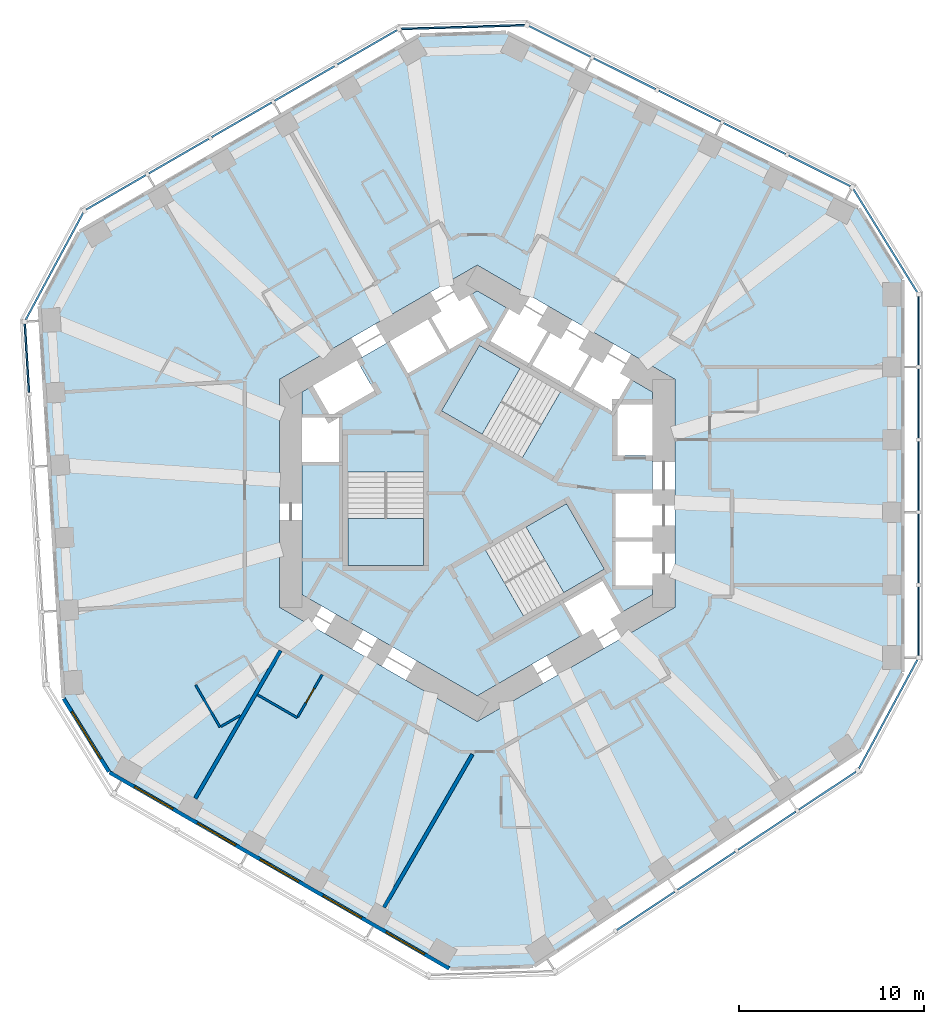
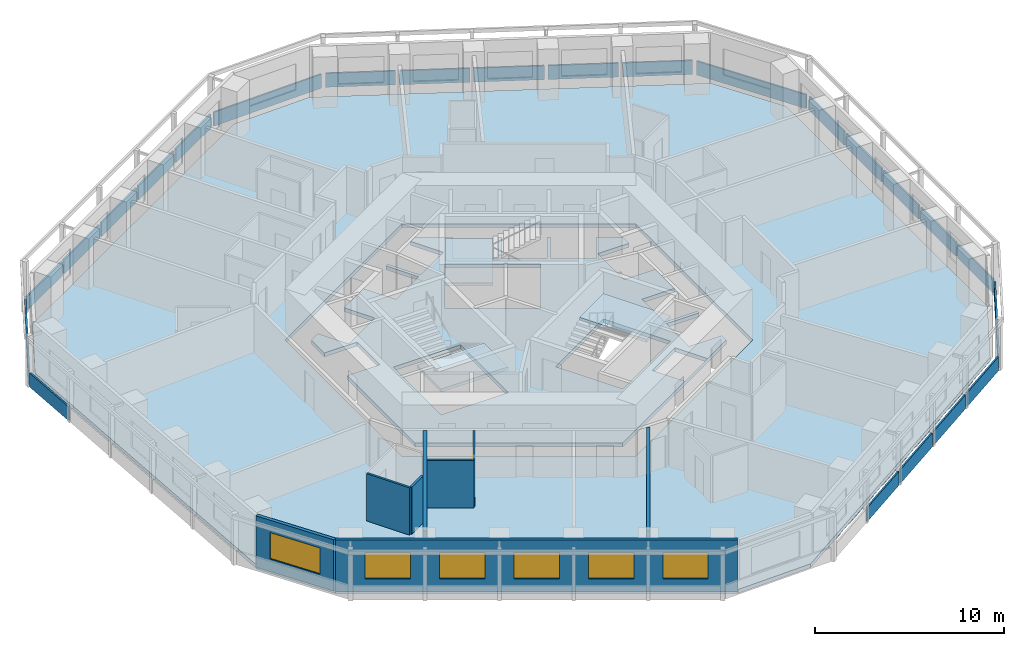
# One storey, part 3 of 12: 24 plates, 8 walls, 6 windows, 5 slabs, 1 door, 7 openings, 12 elements without a shape of their own.
"""IFC4 building model written with IfcOpenShell, lengths in metres."""

import ifcopenshell
import ifcopenshell.guid

model = None  # the IFC model being written
_history = None  # IfcOwnerHistory: only IFC2X3 demands one
_inside = {}  # id of a spatial element -> (the spatial element, [elements in it])
_under = {}  # id of a project, library or spatial element -> (it, [spatial elements below it])
_declared = {}  # id of a project -> (the project, [libraries it declares])
_typed = {}  # id of a type object -> (the type object, [elements of that type])
_made_of = {}  # id of a material, layer set ... -> (it, [elements and type objects made of it])


def new_model(schema):
    """Start an empty IFC model of exactly this schema.

    Asked for "IFC4X3", IfcOpenShell would pick the latest addendum, in which some entities
    have other attributes; the version numbers below select the first issue.
    IFC2X3 requires an IfcOwnerHistory on every rooted entity: one is made here for all.
    """
    global model, _history
    if schema == "IFC4X3":
        model = ifcopenshell.file(schema_version=(4, 3, 0, 0))
    else:
        model = ifcopenshell.file(schema=schema)
    _inside.clear()
    _under.clear()
    _declared.clear()
    _typed.clear()
    _made_of.clear()
    _history = None
    if model.schema == "IFC2X3":
        org = make("IfcOrganization", Name="unknown")
        user = make(
            "IfcPersonAndOrganization",
            ThePerson=make("IfcPerson", FamilyName="unknown"),
            TheOrganization=org,
        )
        app = make(
            "IfcApplication",
            ApplicationDeveloper=org,
            Version="unknown",
            ApplicationFullName="unknown",
            ApplicationIdentifier="unknown",
        )
        _history = make(
            "IfcOwnerHistory",
            OwningUser=user,
            OwningApplication=app,
            ChangeAction="ADDED",
            CreationDate=0,
        )
    return model


def make(cls, **values):
    """One entity of the class cls with the attributes given. An attribute that is None is left unset."""
    return model.create_entity(
        cls, **{name: value for name, value in values.items() if value is not None}
    )


def rooted(cls, **values):
    """An entity with a GlobalId (a new one), such as an element, a storey or a relation."""
    return make(cls, GlobalId=ifcopenshell.guid.new(), OwnerHistory=_history, **values)


def si_unit(unit_type, name, prefix=None):
    """IfcSIUnit, for example si_unit("LENGTHUNIT", "METRE", prefix="MILLI")."""
    return make("IfcSIUnit", UnitType=unit_type, Prefix=prefix, Name=name)


def assignment(units):
    """IfcUnitAssignment: the units of a project."""
    return None if units is None else make("IfcUnitAssignment", Units=units)


def point(xyz):
    """IfcCartesianPoint."""
    return None if xyz is None else make("IfcCartesianPoint", Coordinates=xyz)


def direction(xyz):
    """IfcDirection."""
    return None if xyz is None else make("IfcDirection", DirectionRatios=xyz)


def frame(location, z_axis=None, x_axis=None):
    """IfcAxis2Placement3D, a coordinate frame: its origin and axes. An axis left out is left unset."""
    return make(
        "IfcAxis2Placement3D",
        Location=point(location),
        Axis=direction(z_axis),
        RefDirection=direction(x_axis),
    )


def frame_2d(location, x_axis=None):
    """IfcAxis2Placement2D, a coordinate frame in the plane: its origin and x axis."""
    return make(
        "IfcAxis2Placement2D", Location=point(location), RefDirection=direction(x_axis)
    )


def origin():
    """The frame at (0, 0, 0) with its axes left unset."""
    return frame((0.0, 0.0, 0.0))


def origin_2d():
    """The frame at (0, 0) in the plane with its x axis left unset."""
    return frame_2d((0.0, 0.0))


def place(relative_to, where):
    """IfcLocalPlacement: puts the frame where relative to a parent placement (None: the world)."""
    return make(
        "IfcLocalPlacement", PlacementRelTo=relative_to, RelativePlacement=where
    )


def context(
    kind, dimensions, precision=None, world=None, true_north=None, identifier=None
):
    """IfcGeometricRepresentationContext, for example the 3D "Model" context."""
    return make(
        "IfcGeometricRepresentationContext",
        ContextIdentifier=identifier,
        ContextType=kind,
        CoordinateSpaceDimension=dimensions,
        Precision=precision,
        WorldCoordinateSystem=world,
        TrueNorth=true_north,
    )


def subcontext(parent, identifier, kind, view, scale=None):
    """IfcGeometricRepresentationSubContext, for example "Body" below "Model"."""
    return make(
        "IfcGeometricRepresentationSubContext",
        ContextIdentifier=identifier,
        ContextType=kind,
        ParentContext=parent,
        TargetScale=scale,
        TargetView=view,
    )


def project(units=None, contexts=None):
    """IfcProject with its units and contexts."""
    return rooted(
        "IfcProject",
        Name="project",
        RepresentationContexts=contexts,
        UnitsInContext=assignment(units),
    )


def spatial(cls, under=None, at=None, **own):
    """A site, building, storey or space (cls), placed at a placement, below another one or the project."""
    s = rooted(cls, ObjectPlacement=at, **own)
    if under is not None:
        _under.setdefault(under.id(), (under, []))[1].append(s)
    return s


def polyline(points):
    """IfcPolyline through the points."""
    return make("IfcPolyline", Points=[point(p) for p in points])


def profile(cls, at=None, kind="AREA", **sizes):
    """A parametric profile (cls). Its sizes go by their IFC names, for example OverallWidth=200.0."""
    return make(cls, ProfileType=kind, Position=at, **sizes)


def rectangle(**sizes):
    """IfcRectangleProfileDef."""
    return profile("IfcRectangleProfileDef", **sizes)


def outline(outer, holes=None, kind="AREA"):
    """IfcArbitraryClosedProfileDef: a profile drawn as a closed curve; with holes, ...WithVoids."""
    if holes is None:
        return make("IfcArbitraryClosedProfileDef", ProfileType=kind, OuterCurve=outer)
    return make(
        "IfcArbitraryProfileDefWithVoids",
        ProfileType=kind,
        OuterCurve=outer,
        InnerCurves=holes,
    )


def extrude(swept, where, along, depth):
    """IfcExtrudedAreaSolid: the profile swept, set in the frame where, extruded along a direction by depth."""
    return make(
        "IfcExtrudedAreaSolid",
        SweptArea=swept,
        Position=where,
        ExtrudedDirection=direction(along),
        Depth=depth,
    )


def shape(context_of_items, identifier, shape_type, items):
    """IfcShapeRepresentation: the items that make up one representation, for example the "Body"."""
    return make(
        "IfcShapeRepresentation",
        ContextOfItems=context_of_items,
        RepresentationIdentifier=identifier,
        RepresentationType=shape_type,
        Items=items,
    )


def material(Name=None, Category=None):
    """IfcMaterial."""
    return make("IfcMaterial", Name=Name, Category=Category)


def layer(
    of_material, thickness, ventilated=None, Name=None, Category=None, Priority=None
):
    """IfcMaterialLayer: one layer of a wall or slab, of a material (None: an air gap)."""
    return make(
        "IfcMaterialLayer",
        Material=of_material,
        LayerThickness=thickness,
        IsVentilated=ventilated,
        Name=Name,
        Category=Category,
        Priority=Priority,
    )


def layer_set(layers, Name=None):
    """IfcMaterialLayerSet."""
    return make("IfcMaterialLayerSet", MaterialLayers=layers, LayerSetName=Name)


def made_of(thing, what):
    """Note that an element or type object is made of a material, layer set ...; save() writes the relation."""
    if what is not None:
        _made_of.setdefault(what.id(), (what, []))[1].append(thing)
    return thing


def type_object(cls, material=None, **own):
    """A type object (cls), such as IfcWallType, which elements share."""
    return made_of(rooted(cls, **own), material)


def element(
    cls,
    number,
    at=None,
    inside=None,
    cuts=None,
    type_object=None,
    material=None,
    context=None,
    identifier="Body",
    shape_type=None,
    held_by="IfcProductDefinitionShape",
    body=None,
    shapes=None,
    **own,
):
    """One element of the class cls, such as IfcWall. Its Tag is "e" and its number.

    at: its placement. inside: the storey or other place that contains it. cuts: it is an
    opening in that element (IfcRelVoidsElement). A single representation is given by context,
    identifier, shape_type and body (its items); several are given by shapes. held_by: the class
    of the entity that holds the representations. save() writes the other relations.
    """
    e = rooted(cls, Tag="e%d" % number, ObjectPlacement=at, **own)
    if body is not None:
        shapes = [shape(context, identifier, shape_type, body)]
    if shapes is not None:
        e.Representation = make(held_by, Representations=shapes)
    if inside is not None:
        _inside.setdefault(inside.id(), (inside, []))[1].append(e)
    if cuts is not None:
        rooted(
            "IfcRelVoidsElement", RelatingBuildingElement=cuts, RelatedOpeningElement=e
        )
    if type_object is not None:
        _typed.setdefault(type_object.id(), (type_object, []))[1].append(e)
    return made_of(e, material)


def fill(opening, filler):
    """IfcRelFillsElement: the door or window that sits in an opening."""
    return rooted(
        "IfcRelFillsElement",
        RelatingOpeningElement=opening,
        RelatedBuildingElement=filler,
    )


def aggregate(whole, parts):
    """IfcRelAggregates: a whole, such as a stair, and the parts it consists of."""
    return rooted("IfcRelAggregates", RelatingObject=whole, RelatedObjects=parts)


def save(model, path):
    """Write the relations noted so far, then the file.

    IfcRelAggregates (storeys below a building ...), IfcRelContainedInSpatialStructure (elements
    in a storey), IfcRelDefinesByType, IfcRelAssociatesMaterial and IfcRelDeclares: one each for
    every whole, place, type object, material and project.
    """
    for whole, parts in _under.values():
        aggregate(whole, parts)
    for where, things in _inside.values():
        rooted(
            "IfcRelContainedInSpatialStructure",
            RelatedElements=things,
            RelatingStructure=where,
        )
    for kind, things in _typed.values():
        rooted("IfcRelDefinesByType", RelatedObjects=things, RelatingType=kind)
    for what, things in _made_of.values():
        rooted("IfcRelAssociatesMaterial", RelatedObjects=things, RelatingMaterial=what)
    for by, libraries in _declared.values():
        rooted("IfcRelDeclares", RelatingContext=by, RelatedDefinitions=libraries)
    model.write(path)


model = new_model("IFC4")

# Units and contexts
model_context = context("Model", 3, precision=1e-05, world=origin(), true_north=direction((0.0, 1.0)))
body_context = subcontext(model_context, "Body", "Model", "MODEL_VIEW")
ifc_project = project(units=[si_unit("LENGTHUNIT", "METRE"), si_unit("AREAUNIT", "SQUARE_METRE"), si_unit("VOLUMEUNIT", "CUBIC_METRE"), si_unit("PLANEANGLEUNIT", "RADIAN"), si_unit("MASSUNIT", "GRAM", prefix="KILO")], contexts=[model_context])

# Site, building, storey
site_placement = place(None, origin())
site = spatial("IfcSite", under=ifc_project, at=site_placement, CompositionType="ELEMENT")
building_placement = place(site_placement, origin())
building = spatial("IfcBuilding", under=site, at=building_placement, Name="Vanh Sen Convention Tower", CompositionType="ELEMENT")
storey_placement = place(building_placement, frame((0.0, 0.0, 110.0)))
storey = spatial("IfcBuildingStorey", under=building, at=storey_placement, Name="L26", CompositionType="ELEMENT", Elevation=110.0)

# Slabs
ifc_material_1 = material(Name="Concrete C40/50", Category="concrete")
ifc_layer_1 = layer(ifc_material_1, 0.25)
ifc_layer_set_1 = layer_set([ifc_layer_1], Name="Concrete C40/50")
slab_type_1 = type_object("IfcSlabType", Name="Core slab 250", PredefinedType="FLOOR", material=ifc_layer_set_1)
slab_1_placement = place(storey_placement, frame((0.0, 0.0, -0.25)))
element("IfcSlab", 1, at=slab_1_placement, inside=storey, type_object=slab_type_1, Name="Core slab L26", PredefinedType="FLOOR", context=body_context, shape_type="SweptSolid", body=[
    extrude(outline(polyline([(9.5, 5.48486328125), (9.5, 4.800048828125), (7.60009765625, 4.800048828125), (7.60009765625, 2.050048828125), (9.5, 2.050048828125), (9.5, 0.0), (7.5, 0.0), (7.5, -2.39990234375), (9.5, -2.39990234375), (9.5, -2.60009765625), (7.5, -2.60009765625), (7.5, -5.0), (9.5, -5.0), (9.5, -5.48486328125), (0.0, -10.9697265625), (-9.5, -5.48486328125), (-9.5, 1.699951171875), (-7.5, 1.699951171875), (-7.5, 4.10009765625), (-9.5, 4.10009765625), (-9.5, 5.48486328125), (-8.906982421875, 5.8271484375), (-7.956787109375, 4.181884765625), (-5.575439453125, 5.556884765625), (-6.525390625, 7.2021484375), (-4.75, 8.227294921875), (-3.75, 6.4951171875), (-1.67138671875, 7.6953125), (-2.67138671875, 9.42724609375), (-2.498291015625, 9.527099609375), (-1.498291015625, 7.795166015625), (0.580078125, 8.9951171875), (-0.419921875, 10.727294921875), (0.0, 10.9697265625), (1.718994140625, 9.977294921875), (0.718994140625, 8.2451171875), (2.79736328125, 7.045166015625), (3.79736328125, 8.777099609375), (3.970703125, 8.67724609375), (2.970703125, 6.9453125), (5.049072265625, 5.7451171875), (6.049072265625, 7.477294921875), (6.22216796875, 7.377197265625), (5.22216796875, 5.645263671875), (7.30078125, 4.4453125), (8.30078125, 6.17724609375), (9.5, 5.48486328125)]), holes=[polyline([(-7.0, 3.14990234375), (-7.0, -3.909912109375), (-2.89990234375, -3.909912109375), (-2.89990234375, 3.14990234375), (-2.89990234375, 1.1494140625), (-7.0, 1.1494140625), (-7.0, 3.14990234375)]), polyline([(4.495361328125, 5.487548828125), (6.22802734375, 4.4873046875), (0.11376953125, 8.01708984375), (-1.936279296875, 4.466552734375), (2.4453125, 1.936767578125), (4.495361328125, 5.487548828125)]), polyline([(7.781005859375, -6.477294921875), (6.781005859375, -4.7451171875), (4.70263671875, -5.9453125), (5.70263671875, -7.67724609375), (7.781005859375, -6.477294921875)]), polyline([(0.45458984375, -3.086181640625), (2.504638671875, -6.63671875), (6.88623046875, -4.107177734375), (4.836181640625, -0.556396484375), (-1.278076171875, -4.08642578125), (0.45458984375, -3.086181640625)])]), origin(), (0.0, 0.0, 1.0), 0.25),
])
ifc_layer_2 = layer(ifc_material_1, 0.25)
ifc_layer_set_2 = layer_set([ifc_layer_2], Name="Concrete C40/50")
slab_type_2 = type_object("IfcSlabType", Name="Floor slab 250 REI 120", PredefinedType="FLOOR", material=ifc_layer_set_2)
slab_2_placement = place(storey_placement, frame((0.0, 0.0, -0.25)))
element("IfcSlab", 2, at=slab_2_placement, inside=storey, type_object=slab_type_2, Name="Floor slab L26 tower", PredefinedType="FLOOR", context=body_context, shape_type="SweptSolid", body=[
    extrude(outline(polyline([(23.0, -9.69921875), (23.0, 11.57373046875), (20.620361328125, 15.419189453125), (1.58251953125, 24.911376953125), (-3.10009765625, 24.768310546875), (-21.523193359375, 14.131591796875), (-23.663818359375, 10.14794921875), (-22.364990234375, -11.085205078125), (-19.89990234375, -15.069091796875), (-1.476806640625, -25.705322265625), (3.04345703125, -25.5673828125), (20.78271484375, -13.825927734375), (23.0, -9.69921875)]), holes=[polyline([(0.0, 12.355224609375), (-10.699951171875, 6.177490234375), (-10.699951171875, -6.177490234375), (0.0, -12.355224609375), (10.699951171875, -6.177490234375), (10.699951171875, 6.177490234375), (0.0, 12.355224609375)])]), origin(), (0.0, 0.0, 1.0), 0.25),
])

# Curtain wall, plates
ifc_material_2 = material(Name="Concrete C50/60", Category="concrete")
curtain_wall_type = type_object("IfcCurtainWallType", Name="Outer skin hotel zone", PredefinedType="NOTDEFINED", material=ifc_material_2)
curtain_wall_1_placement = place(storey_placement, origin())
curtain_wall_1 = element("IfcCurtainWall", 3, at=curtain_wall_1_placement, inside=storey, type_object=curtain_wall_type, Name="OUTER SKIN E L26", PredefinedType="NOTDEFINED")
ifc_layer_3 = layer(ifc_material_2, 0.10009765625)
ifc_layer_set_3 = layer_set([ifc_layer_3], Name="Concrete C50/60")
plate_type = type_object("IfcPlateType", Name="Outer skin precast screen panel 100", PredefinedType="CURTAIN_PANEL", material=ifc_layer_set_3)
plate_1_placement = place(storey_placement, frame((23.89990234375, -6.91943359375, 0.0), z_axis=(0.0, 0.0, 1.0), x_axis=(0.0, 1.0, 0.0)))
plate_1 = element("IfcPlate", 4, at=plate_1_placement, type_object=plate_type, Name="OUTER SKIN screen panel E-1", PredefinedType="CURTAIN_PANEL", context=body_context, shape_type="SweptSolid", body=[
    extrude(rectangle(XDim=3.709716796875, YDim=0.10009765625, at=origin_2d()), origin(), (0.0, 0.0, 1.0), 0.89990234375),
])
plate_2_placement = place(storey_placement, frame((23.89990234375, -2.997314453125, 0.0), z_axis=(0.0, 0.0, 1.0), x_axis=(0.0, 1.0, 0.0)))
plate_2 = element("IfcPlate", 5, at=plate_2_placement, type_object=plate_type, Name="OUTER SKIN screen panel E-2", PredefinedType="CURTAIN_PANEL", context=body_context, shape_type="SweptSolid", body=[
    extrude(rectangle(XDim=3.734619140625, YDim=0.10009765625, at=origin_2d()), origin(), (0.0, 0.0, 1.0), 0.89990234375),
])
plate_3_placement = place(storey_placement, frame((23.89990234375, 0.937255859375, 0.0), z_axis=(0.0, 0.0, 1.0), x_axis=(0.0, 1.0, 0.0)))
plate_3 = element("IfcPlate", 6, at=plate_3_placement, type_object=plate_type, Name="OUTER SKIN screen panel E-3", PredefinedType="CURTAIN_PANEL", context=body_context, shape_type="SweptSolid", body=[
    extrude(rectangle(XDim=3.734619140625, YDim=0.10009765625, at=origin_2d()), origin(), (0.0, 0.0, 1.0), 0.89990234375),
])
plate_4_placement = place(storey_placement, frame((23.89990234375, 4.871826171875, 0.0), z_axis=(0.0, 0.0, 1.0), x_axis=(0.0, 1.0, 0.0)))
plate_4 = element("IfcPlate", 7, at=plate_4_placement, type_object=plate_type, Name="OUTER SKIN screen panel E-4", PredefinedType="CURTAIN_PANEL", context=body_context, shape_type="SweptSolid", body=[
    extrude(rectangle(XDim=3.734619140625, YDim=0.10009765625, at=origin_2d()), origin(), (0.0, 0.0, 1.0), 0.89990234375),
])
plate_5_placement = place(storey_placement, frame((23.89990234375, 8.7939453125, 0.0), z_axis=(0.0, 0.0, 1.0), x_axis=(0.0, 1.0, 0.0)))
plate_5 = element("IfcPlate", 8, at=plate_5_placement, type_object=plate_type, Name="OUTER SKIN screen panel E-5", PredefinedType="CURTAIN_PANEL", context=body_context, shape_type="SweptSolid", body=[
    extrude(rectangle(XDim=3.709716796875, YDim=0.10009765625, at=origin_2d()), origin(), (0.0, 0.0, 1.0), 0.89990234375),
])
aggregate(curtain_wall_1, [plate_1, plate_2, plate_3, plate_4, plate_5])

# Curtain wall, plate
curtain_wall_2_placement = place(storey_placement, origin())
curtain_wall_2 = element("IfcCurtainWall", 9, at=curtain_wall_2_placement, inside=storey, type_object=curtain_wall_type, Name="OUTER SKIN CH1 L26", PredefinedType="NOTDEFINED")
plate_6_placement = place(storey_placement, frame((22.102783203125, 13.677734375, 0.0), z_axis=(0.0, 0.0, 1.0), x_axis=(-0.526212439506, 0.850353143411, 0.0)))
plate_6 = element("IfcPlate", 10, at=plate_6_placement, type_object=plate_type, Name="OUTER SKIN screen panel CH1-1", PredefinedType="CURTAIN_PANEL", context=body_context, shape_type="SweptSolid", body=[
    extrude(rectangle(XDim=6.580078125, YDim=0.10009765625, at=origin_2d()), origin(), (0.0, 0.0, 1.0), 0.89990234375),
])
aggregate(curtain_wall_2, [plate_6])

# Curtain wall, plates
curtain_wall_3_placement = place(storey_placement, origin())
curtain_wall_3 = element("IfcCurtainWall", 11, at=curtain_wall_3_placement, inside=storey, type_object=curtain_wall_type, Name="OUTER SKIN NE L26", PredefinedType="NOTDEFINED")
plate_7_placement = place(storey_placement, frame((18.5341796875, 17.465087890625, 0.0), z_axis=(0.0, 0.0, 1.0), x_axis=(-0.894935140363, 0.446196251154, 0.0)))
plate_7 = element("IfcPlate", 12, at=plate_7_placement, type_object=plate_type, Name="OUTER SKIN screen panel NE-1", PredefinedType="CURTAIN_PANEL", context=body_context, shape_type="SweptSolid", body=[
    extrude(rectangle(XDim=3.709716796875, YDim=0.10009765625, at=origin_2d()), origin(), (0.0, 0.0, 1.0), 0.89990234375),
])
plate_8_placement = place(storey_placement, frame((15.024169921875, 19.215087890625, 0.0), z_axis=(0.0, 0.0, 1.0), x_axis=(-0.894935140363, 0.446196251154, 0.0)))
plate_8 = element("IfcPlate", 13, at=plate_8_placement, type_object=plate_type, Name="OUTER SKIN screen panel NE-2", PredefinedType="CURTAIN_PANEL", context=body_context, shape_type="SweptSolid", body=[
    extrude(rectangle(XDim=3.734619140625, YDim=0.10009765625, at=origin_2d()), origin(), (0.0, 0.0, 1.0), 0.89990234375),
])
plate_9_placement = place(storey_placement, frame((11.5029296875, 20.970703125, 0.0), z_axis=(0.0, 0.0, 1.0), x_axis=(-0.894935140363, 0.446196251154, 0.0)))
plate_9 = element("IfcPlate", 14, at=plate_9_placement, type_object=plate_type, Name="OUTER SKIN screen panel NE-3", PredefinedType="CURTAIN_PANEL", context=body_context, shape_type="SweptSolid", body=[
    extrude(rectangle(XDim=3.734619140625, YDim=0.10009765625, at=origin_2d()), origin(), (0.0, 0.0, 1.0), 0.89990234375),
])
plate_10_placement = place(storey_placement, frame((7.981689453125, 22.726318359375, 0.0), z_axis=(0.0, 0.0, 1.0), x_axis=(-0.894935140363, 0.446196251154, 0.0)))
plate_10 = element("IfcPlate", 15, at=plate_10_placement, type_object=plate_type, Name="OUTER SKIN screen panel NE-4", PredefinedType="CURTAIN_PANEL", context=body_context, shape_type="SweptSolid", body=[
    extrude(rectangle(XDim=3.734619140625, YDim=0.10009765625, at=origin_2d()), origin(), (0.0, 0.0, 1.0), 0.89990234375),
])
plate_11_placement = place(storey_placement, frame((4.4716796875, 24.476318359375, 0.0), z_axis=(0.0, 0.0, 1.0), x_axis=(-0.894935140363, 0.446196251154, 0.0)))
plate_11 = element("IfcPlate", 16, at=plate_11_placement, type_object=plate_type, Name="OUTER SKIN screen panel NE-5", PredefinedType="CURTAIN_PANEL", context=body_context, shape_type="SweptSolid", body=[
    extrude(rectangle(XDim=3.709716796875, YDim=0.10009765625, at=origin_2d()), origin(), (0.0, 0.0, 1.0), 0.89990234375),
])
aggregate(curtain_wall_3, [plate_7, plate_8, plate_9, plate_10, plate_11])

# Curtain wall, plate
curtain_wall_4_placement = place(storey_placement, origin())
curtain_wall_4 = element("IfcCurtainWall", 17, at=curtain_wall_4_placement, inside=storey, type_object=curtain_wall_type, Name="OUTER SKIN CH2 L26", PredefinedType="NOTDEFINED")
plate_12_placement = place(storey_placement, frame((-0.771484375, 25.253662109375, 0.0), z_axis=(0.0, 0.0, 1.0), x_axis=(-0.999533644135, -0.030536768695, 0.0)))
plate_12 = element("IfcPlate", 18, at=plate_12_placement, type_object=plate_type, Name="OUTER SKIN screen panel CH2-1", PredefinedType="CURTAIN_PANEL", context=body_context, shape_type="SweptSolid", body=[
    extrude(rectangle(XDim=6.696044921875, YDim=0.10009765625, at=origin_2d()), origin(), (0.0, 0.0, 1.0), 0.89990234375),
])
aggregate(curtain_wall_4, [plate_12])

# Curtain wall, plates
curtain_wall_5_placement = place(storey_placement, origin())
curtain_wall_5 = element("IfcCurtainWall", 19, at=curtain_wall_5_placement, inside=storey, type_object=curtain_wall_type, Name="OUTER SKIN NW L26", PredefinedType="NOTDEFINED")
plate_13_placement = place(storey_placement, frame((-5.95751953125, 24.15771484375, 0.0), z_axis=(0.0, 0.0, 1.0), x_axis=(-0.866028021766, -0.499995465495, 0.0)))
plate_13 = element("IfcPlate", 20, at=plate_13_placement, type_object=plate_type, Name="OUTER SKIN screen panel NW-1", PredefinedType="CURTAIN_PANEL", context=body_context, shape_type="SweptSolid", body=[
    extrude(rectangle(XDim=3.709716796875, YDim=0.10009765625, at=origin_2d()), origin(), (0.0, 0.0, 1.0), 0.89990234375),
])
plate_14_placement = place(storey_placement, frame((-9.354248046875, 22.19677734375, 0.0), z_axis=(0.0, 0.0, 1.0), x_axis=(-0.866021040428, -0.500007557478, 0.0)))
plate_14 = element("IfcPlate", 21, at=plate_14_placement, type_object=plate_type, Name="OUTER SKIN screen panel NW-2", PredefinedType="CURTAIN_PANEL", context=body_context, shape_type="SweptSolid", body=[
    extrude(rectangle(XDim=3.734619140625, YDim=0.10009765625, at=origin_2d()), origin(), (0.0, 0.0, 1.0), 0.89990234375),
])
plate_15_placement = place(storey_placement, frame((-12.76171875, 20.2294921875, 0.0), z_axis=(0.0, 0.0, 1.0), x_axis=(-0.866028021766, -0.499995465495, 0.0)))
plate_15 = element("IfcPlate", 22, at=plate_15_placement, type_object=plate_type, Name="OUTER SKIN screen panel NW-3", PredefinedType="CURTAIN_PANEL", context=body_context, shape_type="SweptSolid", body=[
    extrude(rectangle(XDim=3.734619140625, YDim=0.10009765625, at=origin_2d()), origin(), (0.0, 0.0, 1.0), 0.89990234375),
])
plate_16_placement = place(storey_placement, frame((-16.169189453125, 18.26220703125, 0.0), z_axis=(0.0, 0.0, 1.0), x_axis=(-0.866028021766, -0.499995465495, 0.0)))
plate_16 = element("IfcPlate", 23, at=plate_16_placement, type_object=plate_type, Name="OUTER SKIN screen panel NW-4", PredefinedType="CURTAIN_PANEL", context=body_context, shape_type="SweptSolid", body=[
    extrude(rectangle(XDim=3.734619140625, YDim=0.10009765625, at=origin_2d()), origin(), (0.0, 0.0, 1.0), 0.89990234375),
])
plate_17_placement = place(storey_placement, frame((-19.56591796875, 16.301025390625, 0.0), z_axis=(0.0, 0.0, 1.0), x_axis=(-0.866021040428, -0.500007557478, 0.0)))
plate_17 = element("IfcPlate", 24, at=plate_17_placement, type_object=plate_type, Name="OUTER SKIN screen panel NW-5", PredefinedType="CURTAIN_PANEL", context=body_context, shape_type="SweptSolid", body=[
    extrude(rectangle(XDim=3.70947265625, YDim=0.10009765625, at=origin_2d()), origin(), (0.0, 0.0, 1.0), 0.89990234375),
])
aggregate(curtain_wall_5, [plate_13, plate_14, plate_15, plate_16, plate_17])

# Curtain wall, plate
curtain_wall_6_placement = place(storey_placement, origin())
curtain_wall_6 = element("IfcCurtainWall", 25, at=curtain_wall_6_placement, inside=storey, type_object=curtain_wall_type, Name="OUTER SKIN CH3 L26", PredefinedType="NOTDEFINED")
plate_18_placement = place(storey_placement, frame((-22.896728515625, 12.302978515625, 0.0), z_axis=(0.0, 0.0, 1.0), x_axis=(-0.47331812974, -0.880891564303, 0.0)))
plate_18 = element("IfcPlate", 26, at=plate_18_placement, type_object=plate_type, Name="OUTER SKIN screen panel CH3-1", PredefinedType="CURTAIN_PANEL", context=body_context, shape_type="SweptSolid", body=[
    extrude(rectangle(XDim=6.580078125, YDim=0.10009765625, at=origin_2d()), origin(), (0.0, 0.0, 1.0), 0.89990234375),
])
aggregate(curtain_wall_6, [plate_18])

curtain_wall_7_placement = place(storey_placement, origin())
curtain_wall_7 = element("IfcCurtainWall", 27, at=curtain_wall_7_placement, inside=storey, type_object=curtain_wall_type, Name="OUTER SKIN W L26", PredefinedType="NOTDEFINED")
plate_19_placement = place(storey_placement, frame((-24.39208984375, 7.318603515625, 0.0), z_axis=(0.0, 0.0, 1.0), x_axis=(0.061046797461, -0.99813490497, 0.0)))
plate_19 = element("IfcPlate", 28, at=plate_19_placement, type_object=plate_type, Name="OUTER SKIN screen panel W-1", PredefinedType="CURTAIN_PANEL", context=body_context, shape_type="SweptSolid", body=[
    extrude(rectangle(XDim=3.709716796875, YDim=0.10009765625, at=origin_2d()), origin(), (0.0, 0.0, 1.0), 0.89990234375),
])
aggregate(curtain_wall_7, [plate_19])

# Curtain wall, plates
curtain_wall_8_placement = place(storey_placement, origin())
curtain_wall_8 = element("IfcCurtainWall", 29, at=curtain_wall_8_placement, inside=storey, type_object=curtain_wall_type, Name="OUTER SKIN SE L26", PredefinedType="NOTDEFINED")
plate_20_placement = place(storey_placement, frame((9.128662109375, -22.618896484375, 0.0), z_axis=(0.0, 0.0, 1.0), x_axis=(0.833891601892, 0.55192825285, 0.0)))
plate_20 = element("IfcPlate", 30, at=plate_20_placement, type_object=plate_type, Name="OUTER SKIN screen panel SE-2", PredefinedType="CURTAIN_PANEL", context=body_context, shape_type="SweptSolid", body=[
    extrude(rectangle(XDim=3.734619140625, YDim=0.10009765625, at=origin_2d()), origin(), (0.0, 0.0, 1.0), 0.89990234375),
])
plate_21_placement = place(storey_placement, frame((12.40966796875, -20.447265625, 0.0), z_axis=(0.0, 0.0, 1.0), x_axis=(0.833880042151, 0.551945717714, 0.0)))
plate_21 = element("IfcPlate", 31, at=plate_21_placement, type_object=plate_type, Name="OUTER SKIN screen panel SE-3", PredefinedType="CURTAIN_PANEL", context=body_context, shape_type="SweptSolid", body=[
    extrude(rectangle(XDim=3.734619140625, YDim=0.10009765625, at=origin_2d()), origin(), (0.0, 0.0, 1.0), 0.89990234375),
])
plate_22_placement = place(storey_placement, frame((15.690673828125, -18.275390625, 0.0), z_axis=(0.0, 0.0, 1.0), x_axis=(0.833891601892, 0.55192825285, 0.0)))
plate_22 = element("IfcPlate", 32, at=plate_22_placement, type_object=plate_type, Name="OUTER SKIN screen panel SE-4", PredefinedType="CURTAIN_PANEL", context=body_context, shape_type="SweptSolid", body=[
    extrude(rectangle(XDim=3.734619140625, YDim=0.10009765625, at=origin_2d()), origin(), (0.0, 0.0, 1.0), 0.89990234375),
])
plate_23_placement = place(storey_placement, frame((18.961181640625, -16.11083984375, 0.0), z_axis=(0.0, 0.0, 1.0), x_axis=(0.833880042151, 0.551945717714, 0.0)))
plate_23 = element("IfcPlate", 33, at=plate_23_placement, type_object=plate_type, Name="OUTER SKIN screen panel SE-5", PredefinedType="CURTAIN_PANEL", context=body_context, shape_type="SweptSolid", body=[
    extrude(rectangle(XDim=3.709716796875, YDim=0.10009765625, at=origin_2d()), origin(), (0.0, 0.0, 1.0), 0.89990234375),
])
aggregate(curtain_wall_8, [plate_20, plate_21, plate_22, plate_23])

# Curtain wall, plate
curtain_wall_9_placement = place(storey_placement, origin())
curtain_wall_9 = element("IfcCurtainWall", 34, at=curtain_wall_9_placement, inside=storey, type_object=curtain_wall_type, Name="OUTER SKIN CH6 L26", PredefinedType="NOTDEFINED")
plate_24_placement = place(storey_placement, frame((22.256103515625, -11.95849609375, 0.0), z_axis=(0.0, 0.0, 1.0), x_axis=(0.473322742071, 0.880889086003, 0.0)))
plate_24 = element("IfcPlate", 35, at=plate_24_placement, type_object=plate_type, Name="OUTER SKIN screen panel CH6-1", PredefinedType="CURTAIN_PANEL", context=body_context, shape_type="SweptSolid", body=[
    extrude(rectangle(XDim=6.6962890625, YDim=0.10009765625, at=origin_2d()), origin(), (0.0, 0.0, 1.0), 0.89990234375),
])
aggregate(curtain_wall_9, [plate_24])

# Stair, slab
ifc_material_3 = material(Name="Concrete C50/60", Category="concrete")
stair_type_1 = type_object("IfcStairType", Name="Exit stair ST1 20 risers at 165.0", PredefinedType="HALF_TURN_STAIR", material=ifc_material_3)
stair_1_placement = place(storey_placement, origin())
stair_1 = element("IfcStair", 36, at=stair_1_placement, inside=storey, type_object=stair_type_1, Name="Exit stair ST1 L26", PredefinedType="HALF_TURN_STAIR")
ifc_layer_4 = layer(ifc_material_1, 0.199951171875)
ifc_layer_set_4 = layer_set([ifc_layer_4], Name="Concrete C40/50")
slab_type_3 = type_object("IfcSlabType", Name="Stair landing 200", PredefinedType="LANDING", material=ifc_layer_set_4)
slab_3_placement = place(storey_placement, frame((0.0, 0.0, 1.449951171875)))
slab_3 = element("IfcSlab", 37, at=slab_3_placement, type_object=slab_type_3, Name="ST1 landing 1", PredefinedType="LANDING", context=body_context, shape_type="SweptSolid", body=[
    extrude(outline(polyline([(2.314208984375, 6.746826171875), (0.11376953125, 8.01708984375), (-1.936279296875, 4.466552734375), (0.26416015625, 3.196044921875), (2.314208984375, 6.746826171875)])), origin(), (0.0, 0.0, 1.0), 0.199951171875),
])
aggregate(stair_1, [slab_3])

stair_type_2 = type_object("IfcStairType", Name="Exit stair ST2 20 risers at 165.0", PredefinedType="HALF_TURN_STAIR", material=ifc_material_3)
stair_2_placement = place(storey_placement, origin())
stair_2 = element("IfcStair", 38, at=stair_2_placement, inside=storey, type_object=stair_type_2, Name="Exit stair ST2 L26", PredefinedType="HALF_TURN_STAIR")
slab_4_placement = place(storey_placement, frame((0.0, 0.0, 1.449951171875)))
slab_4 = element("IfcSlab", 39, at=slab_4_placement, type_object=slab_type_3, Name="ST2 landing 1", PredefinedType="LANDING", context=body_context, shape_type="SweptSolid", body=[
    extrude(outline(polyline([(-7.0, -1.369384765625), (-7.0, -3.909912109375), (-2.89990234375, -3.909912109375), (-2.89990234375, -1.369384765625), (-7.0, -1.369384765625)])), origin(), (0.0, 0.0, 1.0), 0.199951171875),
])
aggregate(stair_2, [slab_4])

stair_type_3 = type_object("IfcStairType", Name="Exit stair ST3 20 risers at 165.0", PredefinedType="HALF_TURN_STAIR", material=ifc_material_3)
stair_3_placement = place(storey_placement, origin())
stair_3 = element("IfcStair", 40, at=stair_3_placement, inside=storey, type_object=stair_type_3, Name="Exit stair ST3 L26", PredefinedType="HALF_TURN_STAIR")
slab_5_placement = place(storey_placement, frame((0.0, 0.0, 1.449951171875)))
slab_5 = element("IfcSlab", 41, at=slab_5_placement, type_object=slab_type_3, Name="ST3 landing 1", PredefinedType="LANDING", context=body_context, shape_type="SweptSolid", body=[
    extrude(outline(polyline([(4.685791015625, -5.37744140625), (6.88623046875, -4.107177734375), (4.836181640625, -0.556396484375), (2.6357421875, -1.826904296875), (4.685791015625, -5.37744140625)])), origin(), (0.0, 0.0, 1.0), 0.199951171875),
])
aggregate(stair_3, [slab_5])

# Walls
ifc_material_4 = material(Name="Moisture-resistant gypsum board on steel studs", Category="steel")
ifc_layer_5 = layer(ifc_material_4, 0.1201171875)
ifc_layer_set_5 = layer_set([ifc_layer_5], Name="Moisture-resistant gypsum board on steel studs")
wall_type_1 = type_object("IfcWallType", Name="Bathroom partition 120", PredefinedType="PARTITIONING", material=ifc_layer_set_5)
wall_1_placement = place(storey_placement, frame((-13.935546875, -12.66455078125, 0.0), z_axis=(0.0, 0.0, 1.0), x_axis=(-0.500007957085, 0.86602080971, 0.0)))
element("IfcWall", 42, at=wall_1_placement, inside=storey, type_object=wall_type_1, Name="Bathroom partition 120", PredefinedType="PARTITIONING", context=body_context, shape_type="SweptSolid", body=[
    extrude(rectangle(XDim=2.64013671875, YDim=0.1201171875, at=frame_2d((1.320068359375, 0.0))), origin(), (0.0, 0.0, 1.0), 3.050048828125),
])
wall_2_placement = place(storey_placement, frame((-12.841552734375, -12.03271484375, 0.0), z_axis=(0.0, 0.0, 1.0), x_axis=(-0.865949042838, -0.500132237721, 0.0)))
element("IfcWall", 43, at=wall_2_placement, inside=storey, type_object=wall_type_1, Name="Bathroom partition 120", PredefinedType="PARTITIONING", context=body_context, shape_type="SweptSolid", body=[
    extrude(rectangle(XDim=1.203369140625, YDim=0.1201171875, at=frame_2d((0.6015625, 0.0))), origin(), (0.0, 0.0, 1.0), 3.050048828125),
])
wall_3_placement = place(storey_placement, frame((-9.747802734375, -12.154541015625, 0.0), z_axis=(0.0, 0.0, 1.0), x_axis=(-0.866022959057, 0.500004234368, 0.0)))
element("IfcWall", 44, at=wall_3_placement, inside=storey, type_object=wall_type_1, Name="Bathroom partition 120", PredefinedType="PARTITIONING", context=body_context, shape_type="SweptSolid", body=[
    extrude(rectangle(XDim=2.5, YDim=0.1201171875, at=frame_2d((1.25, 0.0))), origin(), (0.0, 0.0, 1.0), 3.050048828125),
])

# Wall, opening, door
wall_4_placement = place(storey_placement, frame((-8.397705078125, -9.816162109375, 0.0), z_axis=(0.0, 0.0, 1.0), x_axis=(-0.500007957085, -0.86602080971, 0.0)))
wall_4 = element("IfcWall", 45, at=wall_4_placement, inside=storey, type_object=wall_type_1, Name="Bathroom partition 120", PredefinedType="PARTITIONING", context=body_context, shape_type="SweptSolid", body=[
    extrude(rectangle(XDim=2.64013671875, YDim=0.1201171875, at=frame_2d((1.320068359375, 0.0))), origin(), (0.0, 0.0, 1.0), 3.050048828125),
])
opening_1_placement = place(wall_4_placement, frame((0.8701171875, 0.0, 0.0)))
opening_1 = element("IfcOpeningElement", 46, at=opening_1_placement, cuts=wall_4, Name="Opening D25122", PredefinedType="OPENING", context=body_context, shape_type="SweptSolid", body=[
    extrude(rectangle(XDim=0.89990234375, YDim=2.10009765625, at=frame_2d((0.449951171875, 1.050048828125))), frame((0.0, 0.070068359375, 0.0), z_axis=(0.0, -1.0, 0.0), x_axis=(1.0, 0.0, 0.0)), (0.0, 0.0, 1.0), 0.14013671875),
])
ifc_material_5 = material(Name="Laminate door in steel frame", Category="steel")
door_type = type_object("IfcDoorType", Name="En-suite door 900", OperationType="SINGLE_SWING_LEFT", PredefinedType="DOOR", material=ifc_material_5)
door_placement = place(opening_1_placement, origin())
door = element("IfcDoor", 47, at=door_placement, inside=storey, type_object=door_type, Name="En-suite door D25122", OperationType="SINGLE_SWING_LEFT", OverallHeight=2.10009765625, OverallWidth=0.89990234375, PredefinedType="DOOR", context=body_context, shape_type="SweptSolid", body=[
    extrude(rectangle(XDim=0.89990234375, YDim=2.10009765625, at=frame_2d((0.449951171875, 1.050048828125))), frame((0.0, 0.02490234375, 0.0), z_axis=(0.0, -1.0, 0.0), x_axis=(1.0, 0.0, 0.0)), (0.0, 0.0, 1.0), 0.050048828125),
])
fill(opening_1, door)

# Wall, opening, window
ifc_material_6 = material(Name="Insulated lightweight infill wall")
ifc_layer_6 = layer(ifc_material_6, 0.199951171875)
ifc_layer_set_6 = layer_set([ifc_layer_6], Name="Insulated lightweight infill wall")
wall_type_2 = type_object("IfcWallType", Name="External wall 200", PredefinedType="STANDARD", material=ifc_layer_set_6)
wall_5_placement = place(storey_placement, frame((-22.40087890625, -11.122314453125, 0.0), z_axis=(0.0, 0.0, 1.0), x_axis=(0.526197679914, -0.850362276711, 0.0)))
wall_5 = element("IfcWall", 48, at=wall_5_placement, inside=storey, type_object=wall_type_2, Name="External wall CH4 L26", PredefinedType="STANDARD", context=body_context, shape_type="SweptSolid", body=[
    extrude(rectangle(XDim=4.65966796875, YDim=0.199951171875, at=frame_2d((2.329833984375, 0.0))), origin(), (0.0, 0.0, 1.0), 3.300048828125),
])
opening_2_placement = place(wall_5_placement, frame((0.829833984375, 0.0, 0.800048828125)))
opening_2 = element("IfcOpeningElement", 49, at=opening_2_placement, cuts=wall_5, Name="Opening WH2-CH41", PredefinedType="OPENING", context=body_context, shape_type="SweptSolid", body=[
    extrude(rectangle(XDim=3.0, YDim=1.699951171875, at=frame_2d((1.5, 0.85009765625))), frame((0.0, 0.10986328125, 0.0), z_axis=(0.0, -1.0, 0.0), x_axis=(1.0, 0.0, 0.0)), (0.0, 0.0, 1.0), 0.219970703125),
])
ifc_material_7 = material(Name="Aluminium frame with clear low-emissivity glass", Category="aluminium")
window_type_1 = type_object("IfcWindowType", Name="Hotel window 3000 x 1700", PartitioningType="SINGLE_PANEL", PredefinedType="WINDOW", material=ifc_material_7)
window_1_placement = place(opening_2_placement, origin())
window_1 = element("IfcWindow", 50, at=window_1_placement, inside=storey, type_object=window_type_1, Name="Window WH2-CH41", OverallHeight=1.699951171875, OverallWidth=3.0, PartitioningType="SINGLE_PANEL", PredefinedType="WINDOW", context=body_context, shape_type="SweptSolid", body=[
    extrude(rectangle(XDim=3.0, YDim=1.699951171875, at=frame_2d((1.5, 0.85009765625))), frame((0.0, 0.030029296875, 0.0), z_axis=(0.0, -1.0, 0.0), x_axis=(1.0, 0.0, 0.0)), (0.0, 0.0, 1.0), 0.06005859375),
])
fill(opening_2, window_1)

# Wall, openings, windows
wall_6_placement = place(storey_placement, frame((-19.913818359375, -15.11865234375, 0.0), z_axis=(0.0, 0.0, 1.0), x_axis=(0.866025418898, -0.499999973822, 0.0)))
wall_6 = element("IfcWall", 51, at=wall_6_placement, inside=storey, type_object=wall_type_2, Name="External wall SW L26", PredefinedType="STANDARD", context=body_context, shape_type="SweptSolid", body=[
    extrude(rectangle(XDim=21.24609375, YDim=0.199951171875, at=frame_2d((10.623046875, 0.0))), origin(), (0.0, 0.0, 1.0), 3.300048828125),
])
opening_3_placement = place(wall_6_placement, frame((1.5546875, 0.0, 0.800048828125)))
opening_3 = element("IfcOpeningElement", 52, at=opening_3_placement, cuts=wall_6, Name="Opening WH1-SW1", PredefinedType="OPENING", context=body_context, shape_type="SweptSolid", body=[
    extrude(rectangle(XDim=2.39990234375, YDim=1.699951171875, at=frame_2d((1.199951171875, 0.85009765625))), frame((0.0, 0.10986328125, 0.0), z_axis=(0.0, -1.0, 0.0), x_axis=(1.0, 0.0, 0.0)), (0.0, 0.0, 1.0), 0.219970703125),
])
opening_4_placement = place(wall_6_placement, frame((5.4892578125, 0.0, 0.800048828125)))
opening_4 = element("IfcOpeningElement", 53, at=opening_4_placement, cuts=wall_6, Name="Opening WH1-SW2", PredefinedType="OPENING", context=body_context, shape_type="SweptSolid", body=[
    extrude(rectangle(XDim=2.39990234375, YDim=1.699951171875, at=frame_2d((1.199951171875, 0.85009765625))), frame((0.0, 0.10986328125, 0.0), z_axis=(0.0, -1.0, 0.0), x_axis=(1.0, 0.0, 0.0)), (0.0, 0.0, 1.0), 0.219970703125),
])
opening_5_placement = place(wall_6_placement, frame((9.423828125, 0.0, 0.800048828125)))
opening_5 = element("IfcOpeningElement", 54, at=opening_5_placement, cuts=wall_6, Name="Opening WH1-SW3", PredefinedType="OPENING", context=body_context, shape_type="SweptSolid", body=[
    extrude(rectangle(XDim=2.39990234375, YDim=1.699951171875, at=frame_2d((1.199951171875, 0.85009765625))), frame((0.0, 0.10986328125, 0.0), z_axis=(0.0, -1.0, 0.0), x_axis=(1.0, 0.0, 0.0)), (0.0, 0.0, 1.0), 0.219970703125),
])
opening_6_placement = place(wall_6_placement, frame((13.3583984375, 0.0, 0.800048828125)))
opening_6 = element("IfcOpeningElement", 55, at=opening_6_placement, cuts=wall_6, Name="Opening WH1-SW4", PredefinedType="OPENING", context=body_context, shape_type="SweptSolid", body=[
    extrude(rectangle(XDim=2.39990234375, YDim=1.699951171875, at=frame_2d((1.199951171875, 0.85009765625))), frame((0.0, 0.10986328125, 0.0), z_axis=(0.0, -1.0, 0.0), x_axis=(1.0, 0.0, 0.0)), (0.0, 0.0, 1.0), 0.219970703125),
])
opening_7_placement = place(wall_6_placement, frame((17.293212890625, 0.0, 0.800048828125)))
opening_7 = element("IfcOpeningElement", 56, at=opening_7_placement, cuts=wall_6, Name="Opening WH1-SW5", PredefinedType="OPENING", context=body_context, shape_type="SweptSolid", body=[
    extrude(rectangle(XDim=2.39990234375, YDim=1.699951171875, at=frame_2d((1.199951171875, 0.85009765625))), frame((0.0, 0.10986328125, 0.0), z_axis=(0.0, -1.0, 0.0), x_axis=(1.0, 0.0, 0.0)), (0.0, 0.0, 1.0), 0.219970703125),
])
window_type_2 = type_object("IfcWindowType", Name="Hotel window 2400 x 1700", PartitioningType="SINGLE_PANEL", PredefinedType="WINDOW", material=ifc_material_7)
window_2_placement = place(opening_3_placement, origin())
window_2 = element("IfcWindow", 57, at=window_2_placement, inside=storey, type_object=window_type_2, Name="Window WH1-SW1", OverallHeight=1.699951171875, OverallWidth=2.39990234375, PartitioningType="SINGLE_PANEL", PredefinedType="WINDOW", context=body_context, shape_type="SweptSolid", body=[
    extrude(rectangle(XDim=2.39990234375, YDim=1.699951171875, at=frame_2d((1.199951171875, 0.85009765625))), frame((0.0, 0.030029296875, 0.0), z_axis=(0.0, -1.0, 0.0), x_axis=(1.0, 0.0, 0.0)), (0.0, 0.0, 1.0), 0.06005859375),
])
fill(opening_3, window_2)
window_3_placement = place(opening_4_placement, origin())
window_3 = element("IfcWindow", 58, at=window_3_placement, inside=storey, type_object=window_type_2, Name="Window WH1-SW2", OverallHeight=1.699951171875, OverallWidth=2.39990234375, PartitioningType="SINGLE_PANEL", PredefinedType="WINDOW", context=body_context, shape_type="SweptSolid", body=[
    extrude(rectangle(XDim=2.39990234375, YDim=1.699951171875, at=frame_2d((1.199951171875, 0.85009765625))), frame((0.0, 0.030029296875, 0.0), z_axis=(0.0, -1.0, 0.0), x_axis=(1.0, 0.0, 0.0)), (0.0, 0.0, 1.0), 0.06005859375),
])
fill(opening_4, window_3)
window_4_placement = place(opening_5_placement, origin())
window_4 = element("IfcWindow", 59, at=window_4_placement, inside=storey, type_object=window_type_2, Name="Window WH1-SW3", OverallHeight=1.699951171875, OverallWidth=2.39990234375, PartitioningType="SINGLE_PANEL", PredefinedType="WINDOW", context=body_context, shape_type="SweptSolid", body=[
    extrude(rectangle(XDim=2.39990234375, YDim=1.699951171875, at=frame_2d((1.199951171875, 0.85009765625))), frame((0.0, 0.030029296875, 0.0), z_axis=(0.0, -1.0, 0.0), x_axis=(1.0, 0.0, 0.0)), (0.0, 0.0, 1.0), 0.06005859375),
])
fill(opening_5, window_4)
window_5_placement = place(opening_6_placement, origin())
window_5 = element("IfcWindow", 60, at=window_5_placement, inside=storey, type_object=window_type_2, Name="Window WH1-SW4", OverallHeight=1.699951171875, OverallWidth=2.39990234375, PartitioningType="SINGLE_PANEL", PredefinedType="WINDOW", context=body_context, shape_type="SweptSolid", body=[
    extrude(rectangle(XDim=2.39990234375, YDim=1.699951171875, at=frame_2d((1.199951171875, 0.85009765625))), frame((0.0, 0.030029296875, 0.0), z_axis=(0.0, -1.0, 0.0), x_axis=(1.0, 0.0, 0.0)), (0.0, 0.0, 1.0), 0.06005859375),
])
fill(opening_6, window_5)
window_6_placement = place(opening_7_placement, origin())
window_6 = element("IfcWindow", 61, at=window_6_placement, inside=storey, type_object=window_type_2, Name="Window WH1-SW5", OverallHeight=1.699951171875, OverallWidth=2.39990234375, PartitioningType="SINGLE_PANEL", PredefinedType="WINDOW", context=body_context, shape_type="SweptSolid", body=[
    extrude(rectangle(XDim=2.39990234375, YDim=1.699951171875, at=frame_2d((1.199951171875, 0.85009765625))), frame((0.0, 0.030029296875, 0.0), z_axis=(0.0, -1.0, 0.0), x_axis=(1.0, 0.0, 0.0)), (0.0, 0.0, 1.0), 0.06005859375),
])
fill(opening_7, window_6)

# Walls
ifc_material_8 = material(Name="Gypsum board on steel studs with mineral wool", Category="steel")
ifc_layer_7 = layer(ifc_material_8, 0.199951171875)
ifc_layer_set_7 = layer_set([ifc_layer_7], Name="Gypsum board on steel studs with mineral wool")
wall_type_3 = type_object("IfcWallType", Name="Hotel party wall 200", PredefinedType="PARTITIONING", material=ifc_layer_set_7)
wall_7_placement = place(storey_placement, frame((-15.2744140625, -16.527099609375, 0.0), z_axis=(0.0, 0.0, 1.0), x_axis=(0.49998823431, 0.866032196602, 0.0)))
element("IfcWall", 62, at=wall_7_placement, inside=storey, type_object=wall_type_3, Name="Hotel party wall 200", PredefinedType="PARTITIONING", context=body_context, shape_type="SweptSolid", body=[
    extrude(rectangle(XDim=9.250244140625, YDim=0.199951171875, at=frame_2d((4.625, 0.0))), origin(), (0.0, 0.0, 1.0), 3.050048828125),
])
wall_8_placement = place(storey_placement, frame((-5.052001953125, -22.4287109375, 0.0), z_axis=(0.0, 0.0, 1.0), x_axis=(0.500004329283, 0.866022904257, 0.0)))
element("IfcWall", 63, at=wall_8_placement, inside=storey, type_object=wall_type_3, Name="Hotel party wall 200", PredefinedType="PARTITIONING", context=body_context, shape_type="SweptSolid", body=[
    extrude(rectangle(XDim=9.57177734375, YDim=0.199951171875, at=frame_2d((4.785888671875, 0.0))), origin(), (0.0, 0.0, 1.0), 3.050048828125),
])

save(model, "model.ifc")
